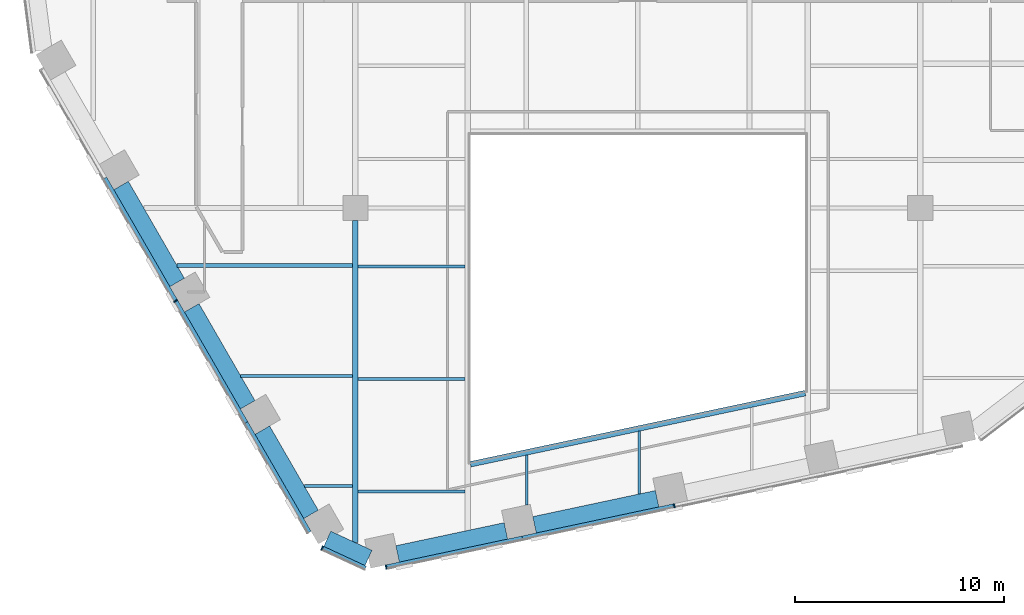
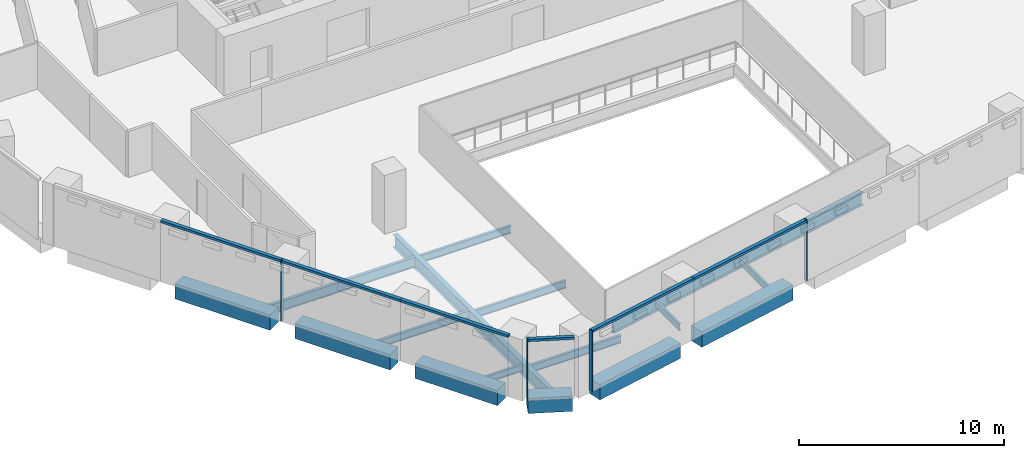
# One storey, part 2 of 17: 16 beams, 10 members, 3 elements without a shape of their own.
"""IFC4 building model written with IfcOpenShell, lengths in metres."""

from ifc_helpers import new_model, si_unit, direction, frame, origin, origin_2d, place, context, subcontext, project, spatial, rectangle, i_section, extrude, material, layer, layer_set, material_profile, profile_set, type_object, element, aggregate, save


model = new_model("IFC4")

# Units and contexts
model_context = context("Model", 3, precision=1e-05, world=origin(), true_north=direction((0.0, 1.0)))
body_context = subcontext(model_context, "Body", "Model", "MODEL_VIEW")
ifc_project = project(units=[si_unit("LENGTHUNIT", "METRE"), si_unit("AREAUNIT", "SQUARE_METRE"), si_unit("VOLUMEUNIT", "CUBIC_METRE"), si_unit("PLANEANGLEUNIT", "RADIAN"), si_unit("MASSUNIT", "GRAM", prefix="KILO")], contexts=[model_context])

# Site, building, storey
site_placement = place(None, origin())
site = spatial("IfcSite", under=ifc_project, at=site_placement, CompositionType="ELEMENT")
building_placement = place(site_placement, origin())
building = spatial("IfcBuilding", under=site, at=building_placement, Name="Isthmus Gate Tower", CompositionType="ELEMENT")
storey_placement = place(building_placement, frame((0.0, 0.0, 126.14990234375)))
storey = spatial("IfcBuildingStorey", under=building, at=storey_placement, Name="L30", CompositionType="ELEMENT", Elevation=126.14990234375)

# Curtain wall, member
ifc_material_1 = material(Name="Aluminium, pale champagne anodised", Category="aluminium")
ifc_layer = layer(ifc_material_1, 0.199951171875)
ifc_layer_set = layer_set([ifc_layer], Name="CW-1 UNITISED CURTAIN WALL 200 DEEP")
curtain_wall_type = type_object("IfcCurtainWallType", Name="CW-1 UNITISED CURTAIN WALL 200 DEEP", PredefinedType="NOTDEFINED", material=ifc_layer_set)
curtain_wall_1_placement = place(storey_placement, origin())
curtain_wall_1 = element("IfcCurtainWall", 1, at=curtain_wall_1_placement, inside=storey, type_object=curtain_wall_type, Name="CW-1 SW L30", PredefinedType="NOTDEFINED")
ifc_material_2 = material(Name="Aluminium, pale champagne anodised", Category="aluminium")
ifc_material_profile_1 = material_profile(ifc_material_2, rectangle(XDim=0.06005859375, YDim=0.199951171875, at=origin_2d()), Name="60x200")
ifc_profile_set_1 = profile_set([ifc_material_profile_1], Name="Aluminium, pale champagne anodised")
member_type_1 = type_object("IfcMemberType", Name="CW-1 MULLION 60 X 200", PredefinedType="MULLION", material=ifc_profile_set_1)
member_1_placement = place(storey_placement, frame((-22.08935546875, -17.93994140625, 0.0), z_axis=(0.0, 0.0, 1.0), x_axis=(0.5, -0.866025403784, 0.0)))
member_1 = element("IfcMember", 2, at=member_1_placement, type_object=member_type_1, Name="CW-1 mullion", PredefinedType="MULLION", context=body_context, shape_type="SweptSolid", body=[
    extrude(rectangle(XDim=0.06005859375, YDim=0.199951171875, at=origin_2d()), origin(), (0.0, 0.0, 1.0), 3.650146484375),
])

curtain_wall_2_placement = place(storey_placement, origin())
curtain_wall_2 = element("IfcCurtainWall", 3, at=curtain_wall_2_placement, inside=storey, type_object=curtain_wall_type, Name="CW-1 SW-S L30", PredefinedType="NOTDEFINED")
member_2_placement = place(storey_placement, frame((-15.091064453125, -29.74755859375, 0.0), z_axis=(0.0, 0.0, 1.0), x_axis=(0.907256261367, -0.420578264073, 0.0)))
member_2 = element("IfcMember", 4, at=member_2_placement, type_object=member_type_1, Name="CW-1 mullion", PredefinedType="MULLION", context=body_context, shape_type="SweptSolid", body=[
    extrude(rectangle(XDim=0.06005859375, YDim=0.199951171875, at=origin_2d()), origin(), (0.0, 0.0, 1.0), 3.650146484375),
])

# Curtain wall, members
curtain_wall_3_placement = place(storey_placement, origin())
curtain_wall_3 = element("IfcCurtainWall", 5, at=curtain_wall_3_placement, inside=storey, type_object=curtain_wall_type, Name="CW-1 S L30", PredefinedType="NOTDEFINED")
member_3_placement = place(storey_placement, frame((-12.03369140625, -30.66015625, 0.0), z_axis=(0.0, 0.0, 1.0), x_axis=(0.978147600734, 0.207911690818, 0.0)))
member_3 = element("IfcMember", 6, at=member_3_placement, type_object=member_type_1, Name="CW-1 mullion", PredefinedType="MULLION", context=body_context, shape_type="SweptSolid", body=[
    extrude(rectangle(XDim=0.06005859375, YDim=0.199951171875, at=origin_2d()), origin(), (0.0, 0.0, 1.0), 3.650146484375),
])
member_4_placement = place(storey_placement, frame((1.740234375, -27.732421875, 0.0), z_axis=(0.0, 0.0, 1.0), x_axis=(0.978147600734, 0.207911690818, 0.0)))
member_4 = element("IfcMember", 7, at=member_4_placement, type_object=member_type_1, Name="CW-1 mullion", PredefinedType="MULLION", context=body_context, shape_type="SweptSolid", body=[
    extrude(rectangle(XDim=0.06005859375, YDim=0.199951171875, at=origin_2d()), origin(), (0.0, 0.0, 1.0), 3.650146484375),
])

# Member
ifc_material_3 = material(Name="Aluminium, pale champagne anodised", Category="aluminium")
ifc_material_profile_2 = material_profile(ifc_material_3, rectangle(XDim=0.199951171875, YDim=0.139892578125, at=origin_2d()), Name="200x140")
ifc_profile_set_2 = profile_set([ifc_material_profile_2], Name="Aluminium, pale champagne anodised")
member_type_2 = type_object("IfcMemberType", Name="CW-1 TRANSOM 200 X 140", PredefinedType="USERDEFINED", material=ifc_profile_set_2)
member_5_placement = place(storey_placement, frame((-25.4794921875, -12.068115234375, 3.580078125), z_axis=(0.49998230858, -0.86603561769, 0.0), x_axis=(0.86603561769, 0.49998230858, 0.0)))
member_5 = element("IfcMember", 8, at=member_5_placement, type_object=member_type_2, Name="CW-1 transom", ObjectType="TRANSOM", PredefinedType="USERDEFINED", context=body_context, shape_type="SweptSolid", body=[
    extrude(rectangle(XDim=0.199951171875, YDim=0.139892578125, at=origin_2d()), origin(), (0.0, 0.0, 1.0), 6.750244140625),
])

member_6_placement = place(storey_placement, frame((-22.074462890625, -17.9658203125, 3.580078125), z_axis=(0.499981482168, -0.866036094796, 0.0), x_axis=(0.866036094796, 0.499981482168, 0.0)))
member_6 = element("IfcMember", 9, at=member_6_placement, type_object=member_type_2, Name="CW-1 transom", ObjectType="TRANSOM", PredefinedType="USERDEFINED", context=body_context, shape_type="SweptSolid", body=[
    extrude(rectangle(XDim=0.199951171875, YDim=0.139892578125, at=origin_2d()), origin(), (0.0, 0.0, 1.0), 6.690185546875),
])

member_7_placement = place(storey_placement, frame((-18.7294921875, -23.759765625, 3.580078125), z_axis=(0.50001470477, -0.866016913815, 0.0), x_axis=(0.866016913815, 0.50001470477, 0.0)))
member_7 = element("IfcMember", 10, at=member_7_placement, type_object=member_type_2, Name="CW-1 transom", ObjectType="TRANSOM", PredefinedType="USERDEFINED", context=body_context, shape_type="SweptSolid", body=[
    extrude(rectangle(XDim=0.199951171875, YDim=0.139892578125, at=origin_2d()), origin(), (0.0, 0.0, 1.0), 6.050048828125),
])

aggregate(curtain_wall_1, [member_5, member_1, member_6, member_7])

member_8_placement = place(storey_placement, frame((-15.06396484375, -29.76025390625, 3.580078125), z_axis=(0.907246225564, -0.420599912268, 0.0), x_axis=(0.420599912268, 0.907246225564, 0.0)))
member_8 = element("IfcMember", 11, at=member_8_placement, type_object=member_type_2, Name="CW-1 transom", ObjectType="TRANSOM", PredefinedType="USERDEFINED", context=body_context, shape_type="SweptSolid", body=[
    extrude(rectangle(XDim=0.199951171875, YDim=0.139892578125, at=origin_2d()), origin(), (0.0, 0.0, 1.0), 2.258544921875),
])

aggregate(curtain_wall_2, [member_2, member_8])

member_9_placement = place(storey_placement, frame((-12.00439453125, -30.65380859375, 3.580078125), z_axis=(0.97814593552, 0.207919524877, 0.0), x_axis=(-0.207919524877, 0.97814593552, 0.0)))
member_9 = element("IfcMember", 12, at=member_9_placement, type_object=member_type_2, Name="CW-1 transom", ObjectType="TRANSOM", PredefinedType="USERDEFINED", context=body_context, shape_type="SweptSolid", body=[
    extrude(rectangle(XDim=0.199951171875, YDim=0.139892578125, at=origin_2d()), origin(), (0.0, 0.0, 1.0), 6.630859375),
])

member_10_placement = place(storey_placement, frame((-5.5185546875, -29.275146484375, 3.580078125), z_axis=(0.978147683684, 0.207911300568, 0.0), x_axis=(-0.207911300568, 0.978147683684, 0.0)))
member_10 = element("IfcMember", 13, at=member_10_placement, type_object=member_type_2, Name="CW-1 transom", ObjectType="TRANSOM", PredefinedType="USERDEFINED", context=body_context, shape_type="SweptSolid", body=[
    extrude(rectangle(XDim=0.199951171875, YDim=0.139892578125, at=origin_2d()), origin(), (0.0, 0.0, 1.0), 7.390869140625),
])

aggregate(curtain_wall_3, [member_3, member_9, member_10, member_4])

# Beams
ifc_material_4 = material(Name="Concrete f'c 60 MPa", Category="concrete")
ifc_material_profile_3 = material_profile(ifc_material_4, rectangle(XDim=0.800048828125, YDim=0.89990234375, at=origin_2d()), Name="RC 800X900")
ifc_profile_set_3 = profile_set([ifc_material_profile_3], Name="Concrete f'c 60 MPa")
beam_type_1 = type_object("IfcBeamType", Name="RC SPANDREL 800 X 900", PredefinedType="SPANDREL", material=ifc_profile_set_3)
beam_1_placement = place(storey_placement, frame((0.922119140625, -27.39501953125, -0.449951171875), z_axis=(-0.978145798872, -0.20792016773, 0.0), x_axis=(0.20792016773, -0.978145798872, 0.0)))
element("IfcBeam", 14, at=beam_1_placement, inside=storey, type_object=beam_type_1, Name="str-spandrel-L30-13", PredefinedType="SPANDREL", context=body_context, shape_type="SweptSolid", body=[
    extrude(rectangle(XDim=0.800048828125, YDim=0.89990234375, at=origin_2d()), origin(), (0.0, 0.0, 1.0), 5.99072265625),
])
beam_2_placement = place(storey_placement, frame((-6.30712890625, -28.931640625, -0.449951171875), z_axis=(-0.978145479826, -0.207921668653, 0.0), x_axis=(0.207921668653, -0.978145479826, 0.0)))
element("IfcBeam", 15, at=beam_2_placement, inside=storey, type_object=beam_type_1, Name="str-spandrel-L30-14", PredefinedType="SPANDREL", context=body_context, shape_type="SweptSolid", body=[
    extrude(rectangle(XDim=0.800048828125, YDim=0.89990234375, at=origin_2d()), origin(), (0.0, 0.0, 1.0), 5.291015625),
])
beam_3_placement = place(storey_placement, frame((-12.87255859375, -30.224853515625, -0.449951171875), z_axis=(-0.907290744498, 0.420503870314, 0.0), x_axis=(-0.420503870314, -0.907290744498, 0.0)))
element("IfcBeam", 16, at=beam_3_placement, inside=storey, type_object=beam_type_1, Name="str-spandrel-L30-15", PredefinedType="SPANDREL", context=body_context, shape_type="SweptSolid", body=[
    extrude(rectangle(XDim=0.800048828125, YDim=0.89990234375, at=origin_2d()), origin(), (0.0, 0.0, 1.0), 2.173095703125),
])
beam_4_placement = place(storey_placement, frame((-15.621337890625, -28.14306640625, -0.449951171875), z_axis=(-0.499984536904, 0.866034331223, 0.0), x_axis=(-0.866034331223, -0.499984536904, 0.0)))
element("IfcBeam", 17, at=beam_4_placement, inside=storey, type_object=beam_type_1, Name="str-spandrel-L30-16", PredefinedType="SPANDREL", context=body_context, shape_type="SweptSolid", body=[
    extrude(rectangle(XDim=0.800048828125, YDim=0.89990234375, at=origin_2d()), origin(), (0.0, 0.0, 1.0), 4.650146484375),
])
for number, where, z_axis, x_axis, name in (
    (18, (-18.646484375, -22.903564453125, -0.449951171875), (-0.500001594578, 0.866024483152, 0.0), (-0.866024483152, -0.500001594578, 0.0), "str-spandrel-L30-17"),
    (19, (-22.021484375, -17.0576171875, -0.449951171875), (-0.500001594578, 0.866024483152, 0.0), (-0.866024483152, -0.500001594578, 0.0), "str-spandrel-L30-18"),
):
    element("IfcBeam", number, at=place(storey_placement, frame(where, z_axis=z_axis, x_axis=x_axis)), inside=storey, type_object=beam_type_1, Name=name, PredefinedType="SPANDREL", context=body_context, shape_type="SweptSolid", body=[
        extrude(rectangle(XDim=0.800048828125, YDim=0.89990234375, at=origin_2d()), origin(), (0.0, 0.0, 1.0), 5.35009765625),
    ])
ifc_material_5 = material(Name="Structural steel ASTM A992 Gr 50", Category="steel")
ifc_material_profile_4 = material_profile(ifc_material_5, i_section(OverallWidth=0.1396484375, OverallDepth=0.4033203125, WebThickness=0.00634765625, FlangeThickness=0.010986328125, at=origin_2d()), Name="W16X31")
ifc_profile_set_4 = profile_set([ifc_material_profile_4], Name="Structural steel ASTM A992 Gr 50")
beam_type_2 = type_object("IfcBeamType", Name="STEEL FLOOR BEAM W16X31", PredefinedType="JOIST", material=ifc_profile_set_4)
beam_5_placement = place(storey_placement, frame((-15.937744140625, -26.795166015625, -0.3515625), z_axis=(1.0, 0.0, 0.0), x_axis=(0.0, 1.0, 0.0)))
element("IfcBeam", 20, at=beam_5_placement, inside=storey, type_object=beam_type_2, Name="str-beam-L30-02-00", PredefinedType="JOIST", context=body_context, shape_type="SweptSolid", body=[
    extrude(i_section(OverallWidth=0.1396484375, OverallDepth=0.4033203125, WebThickness=0.00634765625, FlangeThickness=0.010986328125, at=origin_2d()), origin(), (0.0, 0.0, 1.0), 2.304443359375),
])
beam_6_placement = place(storey_placement, frame((-5.311279296875, -27.69775390625, -0.3515625), z_axis=(0.0, 1.0, 0.0), x_axis=(-1.0, 0.0, 0.0)))
element("IfcBeam", 21, at=beam_6_placement, inside=storey, type_object=beam_type_2, Name="str-beam-L30-07-00", PredefinedType="JOIST", context=body_context, shape_type="SweptSolid", body=[
    extrude(i_section(OverallWidth=0.1396484375, OverallDepth=0.4033203125, WebThickness=0.00634765625, FlangeThickness=0.010986328125, at=origin_2d()), origin(), (0.0, 0.0, 1.0), 2.385498046875),
])
beam_7_placement = place(storey_placement, frame((0.06591796875, -27.168212890625, -0.3515625), z_axis=(0.0, 1.0, 0.0), x_axis=(-1.0, 0.0, 0.0)))
element("IfcBeam", 22, at=beam_7_placement, inside=storey, type_object=beam_type_2, Name="str-beam-L30-07-01", PredefinedType="JOIST", context=body_context, shape_type="SweptSolid", body=[
    extrude(i_section(OverallWidth=0.1396484375, OverallDepth=0.4033203125, WebThickness=0.00634765625, FlangeThickness=0.010986328125, at=origin_2d()), origin(), (0.0, 0.0, 1.0), 2.9990234375),
])
ifc_material_6 = material(Name="Structural steel ASTM A992 Gr 50", Category="steel")
ifc_material_profile_5 = material_profile(ifc_material_6, i_section(OverallWidth=0.15234375, OverallDepth=0.45068359375, WebThickness=0.0078125, FlangeThickness=0.010986328125, at=origin_2d()), Name="W18X35")
ifc_profile_set_5 = profile_set([ifc_material_profile_5], Name="Structural steel ASTM A992 Gr 50")
beam_type_3 = type_object("IfcBeamType", Name="STEEL FLOOR BEAM W18X35", PredefinedType="JOIST", material=ifc_profile_set_5)
beam_8_placement = place(storey_placement, frame((-18.981689453125, -21.52294921875, -0.375244140625), z_axis=(1.0, 0.0, 0.0), x_axis=(0.0, 1.0, 0.0)))
element("IfcBeam", 23, at=beam_8_placement, inside=storey, type_object=beam_type_3, Name="str-beam-L30-02-01", PredefinedType="JOIST", context=body_context, shape_type="SweptSolid", body=[
    extrude(i_section(OverallWidth=0.15234375, OverallDepth=0.45068359375, WebThickness=0.0078125, FlangeThickness=0.010986328125, at=origin_2d()), origin(), (0.0, 0.0, 1.0), 5.348388671875),
])
for number, where, z_axis, x_axis, name in (
    (24, (-13.36669921875, -27.04736328125, -0.375244140625), (1.0, 0.0, 0.0), (0.0, 1.0, 0.0), "str-beam-L30-03-00"),
    (25, (-13.36669921875, -21.67041015625, -0.375244140625), (1.0, 0.0, 0.0), (0.0, 1.0, 0.0), "str-beam-L30-03-01"),
    (26, (-13.36669921875, -16.293212890625, -0.375244140625), (1.0, 0.0, 0.0), (0.0, 1.0, 0.0), "str-beam-L30-03-02"),
):
    element("IfcBeam", number, at=place(storey_placement, frame(where, z_axis=z_axis, x_axis=x_axis)), inside=storey, type_object=beam_type_3, Name=name, PredefinedType="JOIST", context=body_context, shape_type="SweptSolid", body=[
        extrude(i_section(OverallWidth=0.15234375, OverallDepth=0.45068359375, WebThickness=0.0078125, FlangeThickness=0.010986328125, at=origin_2d()), origin(), (0.0, 0.0, 1.0), 5.10009765625),
    ])
ifc_material_7 = material(Name="Structural steel ASTM A992 Gr 50", Category="steel")
ifc_material_profile_6 = material_profile(ifc_material_7, i_section(OverallWidth=0.177734375, OverallDepth=0.60009765625, WebThickness=0.009521484375, FlangeThickness=0.0126953125, at=origin_2d()), Name="W24X55")
ifc_profile_set_6 = profile_set([ifc_material_profile_6], Name="Structural steel ASTM A992 Gr 50")
beam_type_4 = type_object("IfcBeamType", Name="STEEL FLOOR BEAM W24X55", PredefinedType="JOIST", material=ifc_profile_set_6)
beam_9_placement = place(storey_placement, frame((-22.025634765625, -16.25048828125, -0.449951171875), z_axis=(1.0, 0.0, 0.0), x_axis=(0.0, 1.0, 0.0)))
element("IfcBeam", 27, at=beam_9_placement, inside=storey, type_object=beam_type_4, Name="str-beam-L30-02-02", PredefinedType="JOIST", context=body_context, shape_type="SweptSolid", body=[
    extrude(i_section(OverallWidth=0.177734375, OverallDepth=0.60009765625, WebThickness=0.009521484375, FlangeThickness=0.0126953125, at=origin_2d()), origin(), (0.0, 0.0, 1.0), 8.392333984375),
])
ifc_material_8 = material(Name="Structural steel ASTM A992 Gr 50", Category="steel")
ifc_material_profile_7 = material_profile(ifc_material_8, i_section(OverallWidth=0.2666015625, OverallDepth=0.7587890625, WebThickness=0.014404296875, FlangeThickness=0.01904296875, at=origin_2d()), Name="W30X108")
ifc_profile_set_7 = profile_set([ifc_material_profile_7], Name="Structural steel ASTM A992 Gr 50")
beam_type_5 = type_object("IfcBeamType", Name="STEEL GIRDER W30X108", PredefinedType="BEAM", material=ifc_profile_set_7)
beam_10_placement = place(storey_placement, frame((-13.5, -29.4931640625, -0.529296875), z_axis=(0.0, 1.0, 0.0), x_axis=(-1.0, 0.0, 0.0)))
element("IfcBeam", 28, at=beam_10_placement, inside=storey, type_object=beam_type_5, Name="str-girder-L30-07", PredefinedType="BEAM", context=body_context, shape_type="SweptSolid", body=[
    extrude(i_section(OverallWidth=0.2666015625, OverallDepth=0.7587890625, WebThickness=0.014404296875, FlangeThickness=0.01904296875, at=origin_2d()), origin(), (0.0, 0.0, 1.0), 15.39306640625),
])
ifc_material_9 = material(Name="Structural steel ASTM A992 Gr 50", Category="steel")
ifc_material_profile_8 = material_profile(ifc_material_9, i_section(OverallWidth=0.2666015625, OverallDepth=0.7587890625, WebThickness=0.014404296875, FlangeThickness=0.01904296875, at=origin_2d()), Name="W30X108")
ifc_profile_set_8 = profile_set([ifc_material_profile_8], Name="Structural steel ASTM A992 Gr 50")
beam_type_6 = type_object("IfcBeamType", Name="STEEL TRIMMER W30X108", PredefinedType="BEAM", material=ifc_profile_set_8)
beam_11_placement = place(storey_placement, frame((-8.0, -25.747314453125, -0.529296875), z_axis=(0.978147924985, 0.20791016533, 0.0), x_axis=(-0.20791016533, 0.978147924985, 0.0)))
element("IfcBeam", 29, at=beam_11_placement, inside=storey, type_object=beam_type_6, Name="str-trimmer-L30-03", PredefinedType="BEAM", context=body_context, shape_type="SweptSolid", body=[
    extrude(i_section(OverallWidth=0.2666015625, OverallDepth=0.7587890625, WebThickness=0.014404296875, FlangeThickness=0.01904296875, at=origin_2d()), origin(), (0.0, 0.0, 1.0), 16.357421875),
])

save(model, "model.ifc")
